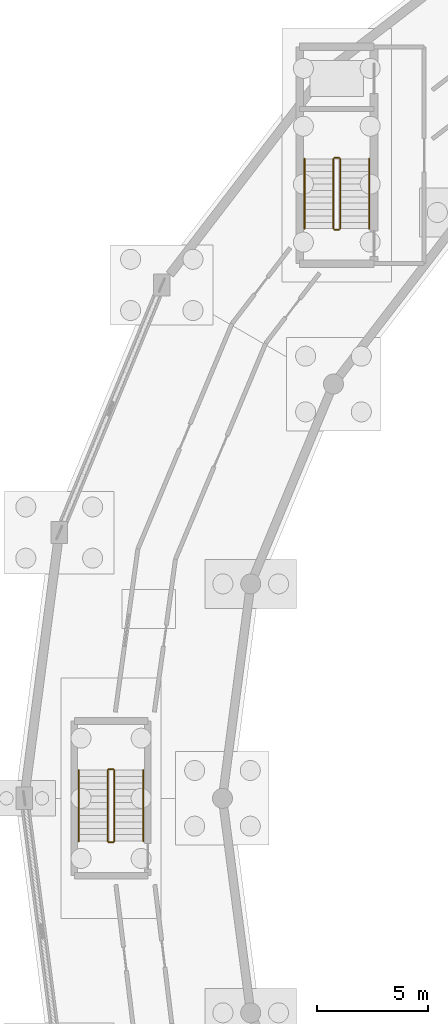
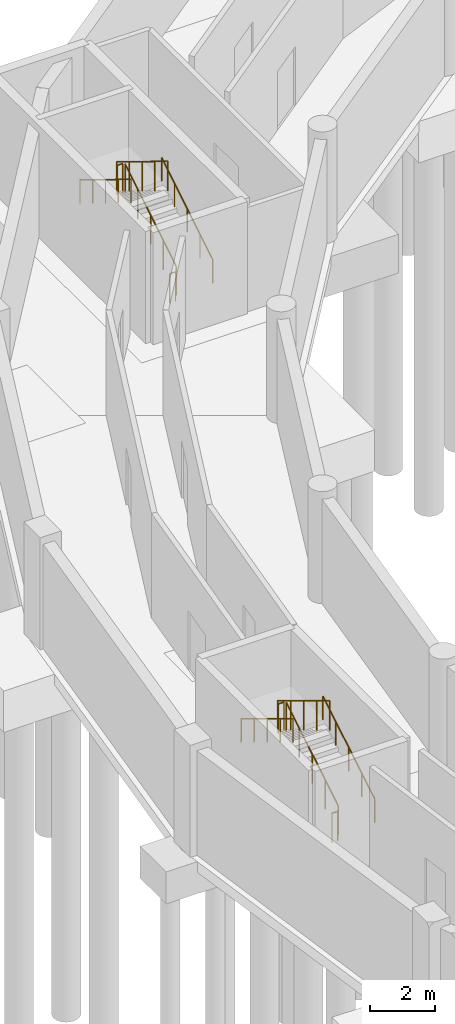
# One storey, part 39 of 43: 12 railings.
"""IFC4 building model written with IfcOpenShell, lengths in metres."""

from ifc_helpers import new_model, si_unit, direction, frame, origin, origin_2d, place, context, subcontext, project, spatial, circle, extrude, material, type_object, element, save


model = new_model("IFC4")

# Units and contexts
model_context = context("Model", 3, precision=1e-05, world=origin(), true_north=direction((0.0, 1.0)))
body_context = subcontext(model_context, "Body", "Model", "MODEL_VIEW")
ifc_project = project(units=[si_unit("LENGTHUNIT", "METRE"), si_unit("AREAUNIT", "SQUARE_METRE"), si_unit("VOLUMEUNIT", "CUBIC_METRE"), si_unit("PLANEANGLEUNIT", "RADIAN"), si_unit("MASSUNIT", "GRAM", prefix="KILO")], contexts=[model_context])

# Site, building, storey
site_placement = place(None, origin())
site = spatial("IfcSite", under=ifc_project, at=site_placement, CompositionType="ELEMENT")
building_placement = place(site_placement, origin())
building = spatial("IfcBuilding", under=site, at=building_placement, Name="Vespera Passage Community Centre", CompositionType="ELEMENT")
storey_placement = place(building_placement, frame((0.0, 0.0, -4.199951171875)))
storey = spatial("IfcBuildingStorey", under=building, at=storey_placement, Name="B1", CompositionType="ELEMENT", Elevation=-4.199951171875)

# Railings
ifc_material_1 = material(Name="Steel ASTM A500 Grade C", Category="steel")
railing_type_1 = type_object("IfcRailingType", Name="RL-HAND-900I", PredefinedType="HANDRAIL", material=ifc_material_1)
railing_1_placement = place(storey_placement, frame((47.383056640625, 91.077880859375, 0.175048828125)))
element("IfcRailing", 1, at=railing_1_placement, inside=storey, type_object=railing_type_1, Name="B1 ST03 stair handrail 1", PredefinedType="HANDRAIL", context=body_context, shape_type="SweptSolid", body=[
    extrude(circle(Radius=0.02392578125, at=origin_2d()), frame((0.0, 0.0, 0.8759765625), z_axis=(0.0, 0.852195625947, 0.523223293744), x_axis=(-1.0, 0.0, 0.0)), (0.0, 0.0, 1.0), 3.6787109375),
    extrude(circle(Radius=0.02099609375, at=origin_2d()), origin(), (0.0, 0.0, 1.0), 0.851806640625),
    extrude(circle(Radius=0.02099609375, at=origin_2d()), frame((0.0, 0.78369140625, 0.481201171875)), (0.0, 0.0, 1.0), 0.851806640625),
    extrude(circle(Radius=0.02099609375, at=origin_2d()), frame((0.0, 1.5673828125, 0.96240234375)), (0.0, 0.0, 1.0), 0.851806640625),
    extrude(circle(Radius=0.02099609375, at=origin_2d()), frame((0.0, 2.351318359375, 1.443603515625)), (0.0, 0.0, 1.0), 0.851806640625),
    extrude(circle(Radius=0.02099609375, at=origin_2d()), frame((0.0, 3.135009765625, 1.9248046875)), (0.0, 0.0, 1.0), 0.851806640625),
])
railing_2_placement = place(storey_placement, frame((44.48291015625, 94.212890625, 2.27490234375)))
element("IfcRailing", 2, at=railing_2_placement, inside=storey, type_object=railing_type_1, Name="B1 ST03 stair handrail 2", PredefinedType="HANDRAIL", context=body_context, shape_type="SweptSolid", body=[
    extrude(circle(Radius=0.02392578125, at=origin_2d()), frame((0.0, 0.0, 0.8759765625), z_axis=(0.0, -0.852166034122, 0.523271488128), x_axis=(1.0, 0.0, 0.0)), (0.0, 0.0, 1.0), 3.678955078125),
    extrude(circle(Radius=0.02099609375, at=origin_2d()), origin(), (0.0, 0.0, 1.0), 0.851806640625),
    extrude(circle(Radius=0.02099609375, at=origin_2d()), frame((0.0, -0.78369140625, 0.481201171875)), (0.0, 0.0, 1.0), 0.851806640625),
    extrude(circle(Radius=0.02099609375, at=origin_2d()), frame((0.0, -1.5673828125, 0.96240234375)), (0.0, 0.0, 1.0), 0.851806640625),
    extrude(circle(Radius=0.02099609375, at=origin_2d()), frame((0.0, -2.351318359375, 1.44384765625)), (0.0, 0.0, 1.0), 0.851806640625),
    extrude(circle(Radius=0.02099609375, at=origin_2d()), frame((0.0, -3.135009765625, 1.925048828125)), (0.0, 0.0, 1.0), 0.851806640625),
])
railing_3_placement = place(storey_placement, frame((37.25, 63.574951171875, 0.175048828125)))
element("IfcRailing", 3, at=railing_3_placement, inside=storey, type_object=railing_type_1, Name="B1 ST04 stair handrail 1", PredefinedType="HANDRAIL", context=body_context, shape_type="SweptSolid", body=[
    extrude(circle(Radius=0.02392578125, at=origin_2d()), frame((0.0, 0.0, 0.8759765625), z_axis=(0.0, 0.856206652436, 0.516633495163), x_axis=(-1.0, 0.0, 0.0)), (0.0, 0.0, 1.0), 3.7255859375),
    extrude(circle(Radius=0.02099609375, at=origin_2d()), origin(), (0.0, 0.0, 1.0), 0.851806640625),
    extrude(circle(Radius=0.02099609375, at=origin_2d()), frame((0.0, 0.79736328125, 0.481201171875)), (0.0, 0.0, 1.0), 0.851806640625),
    extrude(circle(Radius=0.02099609375, at=origin_2d()), frame((0.0, 1.594970703125, 0.96240234375)), (0.0, 0.0, 1.0), 0.851806640625),
    extrude(circle(Radius=0.02099609375, at=origin_2d()), frame((0.0, 2.392578125, 1.443603515625)), (0.0, 0.0, 1.0), 0.851806640625),
    extrude(circle(Radius=0.02099609375, at=origin_2d()), frame((0.0, 3.18994140625, 1.9248046875)), (0.0, 0.0, 1.0), 0.851806640625),
])
railing_4_placement = place(storey_placement, frame((34.35009765625, 66.764892578125, 2.27490234375)))
element("IfcRailing", 4, at=railing_4_placement, inside=storey, type_object=railing_type_1, Name="B1 ST04 stair handrail 2", PredefinedType="HANDRAIL", context=body_context, shape_type="SweptSolid", body=[
    extrude(circle(Radius=0.02392578125, at=origin_2d()), frame((0.0, 0.0, 0.8759765625), z_axis=(0.0, -0.856177665481, 0.516681531633), x_axis=(1.0, 0.0, 0.0)), (0.0, 0.0, 1.0), 3.725830078125),
    extrude(circle(Radius=0.02099609375, at=origin_2d()), origin(), (0.0, 0.0, 1.0), 0.851806640625),
    extrude(circle(Radius=0.02099609375, at=origin_2d()), frame((0.0, -0.79736328125, 0.481201171875)), (0.0, 0.0, 1.0), 0.851806640625),
    extrude(circle(Radius=0.02099609375, at=origin_2d()), frame((0.0, -1.594970703125, 0.96240234375)), (0.0, 0.0, 1.0), 0.851806640625),
    extrude(circle(Radius=0.02099609375, at=origin_2d()), frame((0.0, -2.392578125, 1.44384765625)), (0.0, 0.0, 1.0), 0.851806640625),
    extrude(circle(Radius=0.02099609375, at=origin_2d()), frame((0.0, -3.18994140625, 1.925048828125)), (0.0, 0.0, 1.0), 0.851806640625),
])
ifc_material_2 = material(Name="Steel ASTM A500 Grade C", Category="steel")
railing_type_2 = type_object("IfcRailingType", Name="RL-STAIR-1100I", PredefinedType="GUARDRAIL", material=ifc_material_2)
railing_5_placement = place(storey_placement, frame((46.0830078125, 91.077880859375, 0.175048828125)))
element("IfcRailing", 5, at=railing_5_placement, inside=storey, type_object=railing_type_2, Name="B1 ST03 stair guard 1", PredefinedType="GUARDRAIL", context=body_context, shape_type="SweptSolid", body=[
    extrude(circle(Radius=0.02392578125, at=origin_2d()), frame((0.0, 0.0, 1.09619140625), z_axis=(0.0, 0.852195625947, 0.523223293744), x_axis=(-1.0, 0.0, 0.0)), (0.0, 0.0, 1.0), 3.6787109375),
    extrude(circle(Radius=0.02099609375, at=origin_2d()), origin(), (0.0, 0.0, 1.0), 1.072021484375),
    extrude(circle(Radius=0.02099609375, at=origin_2d()), frame((0.0, 0.78369140625, 0.481201171875)), (0.0, 0.0, 1.0), 1.072021484375),
    extrude(circle(Radius=0.02099609375, at=origin_2d()), frame((0.0, 1.5673828125, 0.96240234375)), (0.0, 0.0, 1.0), 1.072021484375),
    extrude(circle(Radius=0.02099609375, at=origin_2d()), frame((0.0, 2.351318359375, 1.443603515625)), (0.0, 0.0, 1.0), 1.072021484375),
    extrude(circle(Radius=0.02099609375, at=origin_2d()), frame((0.0, 3.135009765625, 1.9248046875)), (0.0, 0.0, 1.0), 1.072021484375),
])
railing_6_placement = place(storey_placement, frame((46.032958984375, 94.262939453125, 2.099853515625)))
element("IfcRailing", 6, at=railing_6_placement, inside=storey, type_object=railing_type_2, Name="B1 ST03 stair guard 2", PredefinedType="GUARDRAIL", context=body_context, shape_type="SweptSolid", body=[
    extrude(circle(Radius=0.02392578125, at=origin_2d()), frame((0.0, 0.0, 1.09619140625), z_axis=(-1.0, 0.0, 0.0), x_axis=(0.0, -1.0, 0.0)), (0.0, 0.0, 1.0), 0.199951171875),
    extrude(circle(Radius=0.02099609375, at=origin_2d()), origin(), (0.0, 0.0, 1.0), 1.072021484375),
    extrude(circle(Radius=0.02099609375, at=origin_2d()), frame((-0.199951171875, 0.0, 0.0)), (0.0, 0.0, 1.0), 1.072021484375),
])
railing_7_placement = place(storey_placement, frame((45.782958984375, 94.212890625, 2.27490234375)))
element("IfcRailing", 7, at=railing_7_placement, inside=storey, type_object=railing_type_2, Name="B1 ST03 stair guard 3", PredefinedType="GUARDRAIL", context=body_context, shape_type="SweptSolid", body=[
    extrude(circle(Radius=0.02392578125, at=origin_2d()), frame((0.0, 0.0, 1.09619140625), z_axis=(0.0, -0.852166034122, 0.523271488128), x_axis=(1.0, 0.0, 0.0)), (0.0, 0.0, 1.0), 3.678955078125),
    extrude(circle(Radius=0.02099609375, at=origin_2d()), origin(), (0.0, 0.0, 1.0), 1.072021484375),
    extrude(circle(Radius=0.02099609375, at=origin_2d()), frame((0.0, -0.78369140625, 0.481201171875)), (0.0, 0.0, 1.0), 1.072021484375),
    extrude(circle(Radius=0.02099609375, at=origin_2d()), frame((0.0, -1.5673828125, 0.96240234375)), (0.0, 0.0, 1.0), 1.072021484375),
    extrude(circle(Radius=0.02099609375, at=origin_2d()), frame((0.0, -2.351318359375, 1.44384765625)), (0.0, 0.0, 1.0), 1.072021484375),
    extrude(circle(Radius=0.02099609375, at=origin_2d()), frame((0.0, -3.135009765625, 1.925048828125)), (0.0, 0.0, 1.0), 1.072021484375),
])
railing_8_placement = place(storey_placement, frame((46.032958984375, 91.028076171875, 0.0)))
element("IfcRailing", 8, at=railing_8_placement, inside=storey, type_object=railing_type_2, Name="B1 ST03 stair guard 4", PredefinedType="GUARDRAIL", context=body_context, shape_type="SweptSolid", body=[
    extrude(circle(Radius=0.02392578125, at=origin_2d()), frame((0.0, 0.0, 1.09619140625), z_axis=(-1.0, 0.0, 0.0), x_axis=(0.0, -1.0, 0.0)), (0.0, 0.0, 1.0), 0.199951171875),
    extrude(circle(Radius=0.02099609375, at=origin_2d()), origin(), (0.0, 0.0, 1.0), 1.072021484375),
    extrude(circle(Radius=0.02099609375, at=origin_2d()), frame((-0.199951171875, 0.0, 0.0)), (0.0, 0.0, 1.0), 1.072021484375),
])
railing_9_placement = place(storey_placement, frame((35.949951171875, 63.574951171875, 0.175048828125)))
element("IfcRailing", 9, at=railing_9_placement, inside=storey, type_object=railing_type_2, Name="B1 ST04 stair guard 1", PredefinedType="GUARDRAIL", context=body_context, shape_type="SweptSolid", body=[
    extrude(circle(Radius=0.02392578125, at=origin_2d()), frame((0.0, 0.0, 1.09619140625), z_axis=(0.0, 0.856206652436, 0.516633495163), x_axis=(-1.0, 0.0, 0.0)), (0.0, 0.0, 1.0), 3.7255859375),
    extrude(circle(Radius=0.02099609375, at=origin_2d()), origin(), (0.0, 0.0, 1.0), 1.072021484375),
    extrude(circle(Radius=0.02099609375, at=origin_2d()), frame((0.0, 0.79736328125, 0.481201171875)), (0.0, 0.0, 1.0), 1.072021484375),
    extrude(circle(Radius=0.02099609375, at=origin_2d()), frame((0.0, 1.594970703125, 0.96240234375)), (0.0, 0.0, 1.0), 1.072021484375),
    extrude(circle(Radius=0.02099609375, at=origin_2d()), frame((0.0, 2.392578125, 1.443603515625)), (0.0, 0.0, 1.0), 1.072021484375),
    extrude(circle(Radius=0.02099609375, at=origin_2d()), frame((0.0, 3.18994140625, 1.9248046875)), (0.0, 0.0, 1.0), 1.072021484375),
])
railing_10_placement = place(storey_placement, frame((35.89990234375, 66.81494140625, 2.099853515625)))
element("IfcRailing", 10, at=railing_10_placement, inside=storey, type_object=railing_type_2, Name="B1 ST04 stair guard 2", PredefinedType="GUARDRAIL", context=body_context, shape_type="SweptSolid", body=[
    extrude(circle(Radius=0.02392578125, at=origin_2d()), frame((0.0, 0.0, 1.09619140625), z_axis=(-1.0, 0.0, 0.0), x_axis=(0.0, -1.0, 0.0)), (0.0, 0.0, 1.0), 0.199951171875),
    extrude(circle(Radius=0.02099609375, at=origin_2d()), origin(), (0.0, 0.0, 1.0), 1.072021484375),
    extrude(circle(Radius=0.02099609375, at=origin_2d()), frame((-0.199951171875, 0.0, 0.0)), (0.0, 0.0, 1.0), 1.072021484375),
])
railing_11_placement = place(storey_placement, frame((35.64990234375, 66.764892578125, 2.27490234375)))
element("IfcRailing", 11, at=railing_11_placement, inside=storey, type_object=railing_type_2, Name="B1 ST04 stair guard 3", PredefinedType="GUARDRAIL", context=body_context, shape_type="SweptSolid", body=[
    extrude(circle(Radius=0.02392578125, at=origin_2d()), frame((0.0, 0.0, 1.09619140625), z_axis=(0.0, -0.856177665481, 0.516681531633), x_axis=(1.0, 0.0, 0.0)), (0.0, 0.0, 1.0), 3.725830078125),
    extrude(circle(Radius=0.02099609375, at=origin_2d()), origin(), (0.0, 0.0, 1.0), 1.072021484375),
    extrude(circle(Radius=0.02099609375, at=origin_2d()), frame((0.0, -0.79736328125, 0.481201171875)), (0.0, 0.0, 1.0), 1.072021484375),
    extrude(circle(Radius=0.02099609375, at=origin_2d()), frame((0.0, -1.594970703125, 0.96240234375)), (0.0, 0.0, 1.0), 1.072021484375),
    extrude(circle(Radius=0.02099609375, at=origin_2d()), frame((0.0, -2.392578125, 1.44384765625)), (0.0, 0.0, 1.0), 1.072021484375),
    extrude(circle(Radius=0.02099609375, at=origin_2d()), frame((0.0, -3.18994140625, 1.925048828125)), (0.0, 0.0, 1.0), 1.072021484375),
])
railing_12_placement = place(storey_placement, frame((35.89990234375, 63.52490234375, 0.0)))
element("IfcRailing", 12, at=railing_12_placement, inside=storey, type_object=railing_type_2, Name="B1 ST04 stair guard 4", PredefinedType="GUARDRAIL", context=body_context, shape_type="SweptSolid", body=[
    extrude(circle(Radius=0.02392578125, at=origin_2d()), frame((0.0, 0.0, 1.09619140625), z_axis=(-1.0, 0.0, 0.0), x_axis=(0.0, -1.0, 0.0)), (0.0, 0.0, 1.0), 0.199951171875),
    extrude(circle(Radius=0.02099609375, at=origin_2d()), origin(), (0.0, 0.0, 1.0), 1.072021484375),
    extrude(circle(Radius=0.02099609375, at=origin_2d()), frame((-0.199951171875, 0.0, 0.0)), (0.0, 0.0, 1.0), 1.072021484375),
])

save(model, "model.ifc")
